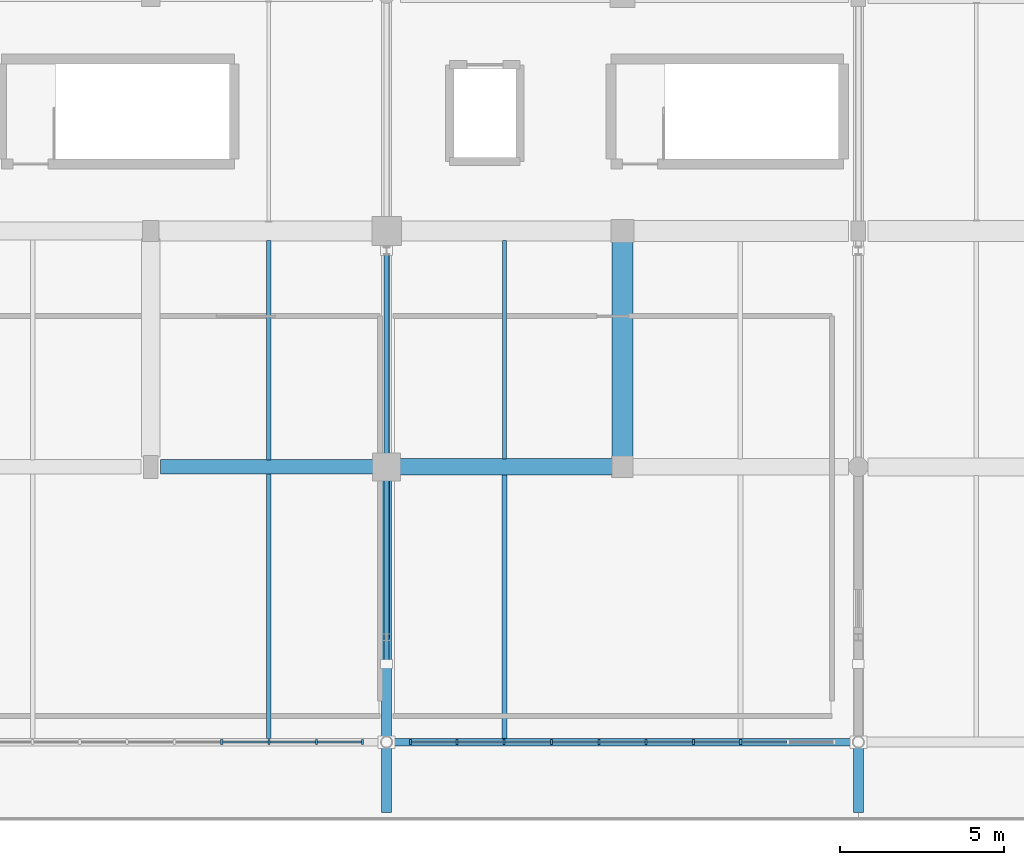
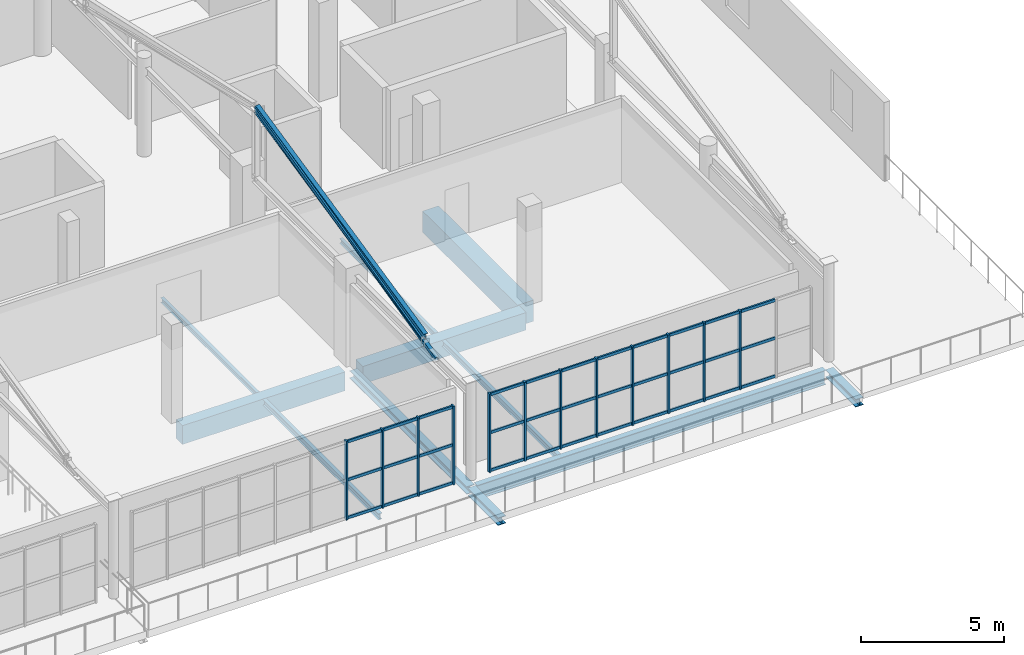
# One storey, part 11 of 41: 46 members, 12 beams, 2 elements without a shape of their own.
"""IFC4 building model written with IfcOpenShell, lengths in metres."""

import ifcopenshell
import ifcopenshell.guid

model = None  # the IFC model being written
_history = None  # IfcOwnerHistory: only IFC2X3 demands one
_inside = {}  # id of a spatial element -> (the spatial element, [elements in it])
_under = {}  # id of a project, library or spatial element -> (it, [spatial elements below it])
_declared = {}  # id of a project -> (the project, [libraries it declares])
_typed = {}  # id of a type object -> (the type object, [elements of that type])
_made_of = {}  # id of a material, layer set ... -> (it, [elements and type objects made of it])


def new_model(schema):
    """Start an empty IFC model of exactly this schema.

    Asked for "IFC4X3", IfcOpenShell would pick the latest addendum, in which some entities
    have other attributes; the version numbers below select the first issue.
    IFC2X3 requires an IfcOwnerHistory on every rooted entity: one is made here for all.
    """
    global model, _history
    if schema == "IFC4X3":
        model = ifcopenshell.file(schema_version=(4, 3, 0, 0))
    else:
        model = ifcopenshell.file(schema=schema)
    _inside.clear()
    _under.clear()
    _declared.clear()
    _typed.clear()
    _made_of.clear()
    _history = None
    if model.schema == "IFC2X3":
        org = make("IfcOrganization", Name="unknown")
        user = make(
            "IfcPersonAndOrganization",
            ThePerson=make("IfcPerson", FamilyName="unknown"),
            TheOrganization=org,
        )
        app = make(
            "IfcApplication",
            ApplicationDeveloper=org,
            Version="unknown",
            ApplicationFullName="unknown",
            ApplicationIdentifier="unknown",
        )
        _history = make(
            "IfcOwnerHistory",
            OwningUser=user,
            OwningApplication=app,
            ChangeAction="ADDED",
            CreationDate=0,
        )
    return model


def make(cls, **values):
    """One entity of the class cls with the attributes given. An attribute that is None is left unset."""
    return model.create_entity(
        cls, **{name: value for name, value in values.items() if value is not None}
    )


def rooted(cls, **values):
    """An entity with a GlobalId (a new one), such as an element, a storey or a relation."""
    return make(cls, GlobalId=ifcopenshell.guid.new(), OwnerHistory=_history, **values)


def si_unit(unit_type, name, prefix=None):
    """IfcSIUnit, for example si_unit("LENGTHUNIT", "METRE", prefix="MILLI")."""
    return make("IfcSIUnit", UnitType=unit_type, Prefix=prefix, Name=name)


def assignment(units):
    """IfcUnitAssignment: the units of a project."""
    return None if units is None else make("IfcUnitAssignment", Units=units)


def point(xyz):
    """IfcCartesianPoint."""
    return None if xyz is None else make("IfcCartesianPoint", Coordinates=xyz)


def direction(xyz):
    """IfcDirection."""
    return None if xyz is None else make("IfcDirection", DirectionRatios=xyz)


def frame(location, z_axis=None, x_axis=None):
    """IfcAxis2Placement3D, a coordinate frame: its origin and axes. An axis left out is left unset."""
    return make(
        "IfcAxis2Placement3D",
        Location=point(location),
        Axis=direction(z_axis),
        RefDirection=direction(x_axis),
    )


def frame_2d(location, x_axis=None):
    """IfcAxis2Placement2D, a coordinate frame in the plane: its origin and x axis."""
    return make(
        "IfcAxis2Placement2D", Location=point(location), RefDirection=direction(x_axis)
    )


def origin():
    """The frame at (0, 0, 0) with its axes left unset."""
    return frame((0.0, 0.0, 0.0))


def origin_2d():
    """The frame at (0, 0) in the plane with its x axis left unset."""
    return frame_2d((0.0, 0.0))


def place(relative_to, where):
    """IfcLocalPlacement: puts the frame where relative to a parent placement (None: the world)."""
    return make(
        "IfcLocalPlacement", PlacementRelTo=relative_to, RelativePlacement=where
    )


def context(
    kind, dimensions, precision=None, world=None, true_north=None, identifier=None
):
    """IfcGeometricRepresentationContext, for example the 3D "Model" context."""
    return make(
        "IfcGeometricRepresentationContext",
        ContextIdentifier=identifier,
        ContextType=kind,
        CoordinateSpaceDimension=dimensions,
        Precision=precision,
        WorldCoordinateSystem=world,
        TrueNorth=true_north,
    )


def subcontext(parent, identifier, kind, view, scale=None):
    """IfcGeometricRepresentationSubContext, for example "Body" below "Model"."""
    return make(
        "IfcGeometricRepresentationSubContext",
        ContextIdentifier=identifier,
        ContextType=kind,
        ParentContext=parent,
        TargetScale=scale,
        TargetView=view,
    )


def project(units=None, contexts=None):
    """IfcProject with its units and contexts."""
    return rooted(
        "IfcProject",
        Name="project",
        RepresentationContexts=contexts,
        UnitsInContext=assignment(units),
    )


def spatial(cls, under=None, at=None, **own):
    """A site, building, storey or space (cls), placed at a placement, below another one or the project."""
    s = rooted(cls, ObjectPlacement=at, **own)
    if under is not None:
        _under.setdefault(under.id(), (under, []))[1].append(s)
    return s


def profile(cls, at=None, kind="AREA", **sizes):
    """A parametric profile (cls). Its sizes go by their IFC names, for example OverallWidth=200.0."""
    return make(cls, ProfileType=kind, Position=at, **sizes)


def rectangle(**sizes):
    """IfcRectangleProfileDef."""
    return profile("IfcRectangleProfileDef", **sizes)


def hollow_rectangle(**sizes):
    """IfcRectangleHollowProfileDef."""
    return profile("IfcRectangleHollowProfileDef", **sizes)


def i_section(**sizes):
    """IfcIShapeProfileDef."""
    return profile("IfcIShapeProfileDef", **sizes)


def extrude(swept, where, along, depth):
    """IfcExtrudedAreaSolid: the profile swept, set in the frame where, extruded along a direction by depth."""
    return make(
        "IfcExtrudedAreaSolid",
        SweptArea=swept,
        Position=where,
        ExtrudedDirection=direction(along),
        Depth=depth,
    )


def shape(context_of_items, identifier, shape_type, items):
    """IfcShapeRepresentation: the items that make up one representation, for example the "Body"."""
    return make(
        "IfcShapeRepresentation",
        ContextOfItems=context_of_items,
        RepresentationIdentifier=identifier,
        RepresentationType=shape_type,
        Items=items,
    )


def material(Name=None, Category=None):
    """IfcMaterial."""
    return make("IfcMaterial", Name=Name, Category=Category)


def material_profile(
    of_material, cross_section, Name=None, Category=None, Priority=None
):
    """IfcMaterialProfile: a cross section and its material."""
    return make(
        "IfcMaterialProfile",
        Name=Name,
        Material=of_material,
        Profile=cross_section,
        Priority=Priority,
        Category=Category,
    )


def profile_set(profiles, Name=None, composite=None):
    """IfcMaterialProfileSet."""
    return make(
        "IfcMaterialProfileSet",
        Name=Name,
        MaterialProfiles=profiles,
        CompositeProfile=composite,
    )


def made_of(thing, what):
    """Note that an element or type object is made of a material, layer set ...; save() writes the relation."""
    if what is not None:
        _made_of.setdefault(what.id(), (what, []))[1].append(thing)
    return thing


def type_object(cls, material=None, **own):
    """A type object (cls), such as IfcWallType, which elements share."""
    return made_of(rooted(cls, **own), material)


def element(
    cls,
    number,
    at=None,
    inside=None,
    cuts=None,
    type_object=None,
    material=None,
    context=None,
    identifier="Body",
    shape_type=None,
    held_by="IfcProductDefinitionShape",
    body=None,
    shapes=None,
    **own,
):
    """One element of the class cls, such as IfcWall. Its Tag is "e" and its number.

    at: its placement. inside: the storey or other place that contains it. cuts: it is an
    opening in that element (IfcRelVoidsElement). A single representation is given by context,
    identifier, shape_type and body (its items); several are given by shapes. held_by: the class
    of the entity that holds the representations. save() writes the other relations.
    """
    e = rooted(cls, Tag="e%d" % number, ObjectPlacement=at, **own)
    if body is not None:
        shapes = [shape(context, identifier, shape_type, body)]
    if shapes is not None:
        e.Representation = make(held_by, Representations=shapes)
    if inside is not None:
        _inside.setdefault(inside.id(), (inside, []))[1].append(e)
    if cuts is not None:
        rooted(
            "IfcRelVoidsElement", RelatingBuildingElement=cuts, RelatedOpeningElement=e
        )
    if type_object is not None:
        _typed.setdefault(type_object.id(), (type_object, []))[1].append(e)
    return made_of(e, material)


def aggregate(whole, parts):
    """IfcRelAggregates: a whole, such as a stair, and the parts it consists of."""
    return rooted("IfcRelAggregates", RelatingObject=whole, RelatedObjects=parts)


def save(model, path):
    """Write the relations noted so far, then the file.

    IfcRelAggregates (storeys below a building ...), IfcRelContainedInSpatialStructure (elements
    in a storey), IfcRelDefinesByType, IfcRelAssociatesMaterial and IfcRelDeclares: one each for
    every whole, place, type object, material and project.
    """
    for whole, parts in _under.values():
        aggregate(whole, parts)
    for where, things in _inside.values():
        rooted(
            "IfcRelContainedInSpatialStructure",
            RelatedElements=things,
            RelatingStructure=where,
        )
    for kind, things in _typed.values():
        rooted("IfcRelDefinesByType", RelatedObjects=things, RelatingType=kind)
    for what, things in _made_of.values():
        rooted("IfcRelAssociatesMaterial", RelatedObjects=things, RelatingMaterial=what)
    for by, libraries in _declared.values():
        rooted("IfcRelDeclares", RelatingContext=by, RelatedDefinitions=libraries)
    model.write(path)


model = new_model("IFC4")

# Units and contexts
model_context = context("Model", 3, precision=1e-05, world=origin(), true_north=direction((0.0, 1.0)))
body_context = subcontext(model_context, "Body", "Model", "MODEL_VIEW")
ifc_project = project(units=[si_unit("LENGTHUNIT", "METRE"), si_unit("AREAUNIT", "SQUARE_METRE"), si_unit("VOLUMEUNIT", "CUBIC_METRE"), si_unit("PLANEANGLEUNIT", "RADIAN"), si_unit("MASSUNIT", "GRAM", prefix="KILO")], contexts=[model_context])

# Site, building, storey
site_placement = place(None, origin())
site = spatial("IfcSite", under=ifc_project, at=site_placement, CompositionType="ELEMENT")
building_placement = place(site_placement, origin())
building = spatial("IfcBuilding", under=site, at=building_placement, Name="Solanera Park Tramway Depot", CompositionType="ELEMENT")
storey_placement = place(building_placement, frame((0.0, 0.0, 13.199951171875)))
storey = spatial("IfcBuildingStorey", under=building, at=storey_placement, Name="L03", CompositionType="ELEMENT", Elevation=13.199951171875)

# Curtain wall, members
ifc_material_1 = material(Name="Bronze-anodised thermally broken aluminium curtain wall", Category="aluminium")
curtain_wall_type = type_object("IfcCurtainWallType", Name="Cantilevered OCC Inclined Glazing Wall", PredefinedType="NOTDEFINED", material=ifc_material_1)
curtain_wall_1_placement = place(storey_placement, origin())
curtain_wall_1 = element("IfcCurtainWall", 1, at=curtain_wall_1_placement, inside=storey, type_object=curtain_wall_type, Name="L03 Cantilevered OCC Inclined Glazing Wall #124", PredefinedType="NOTDEFINED")
ifc_material_2 = material(Name="Bronze-anodised structural aluminium 6063-T6", Category="aluminium")
ifc_material_profile_1 = material_profile(ifc_material_2, rectangle(XDim=0.06494140625, YDim=0.14990234375, at=origin_2d()), Name="Curtain Wall Mullion 65x150")
ifc_profile_set_1 = profile_set([ifc_material_profile_1], Name="Bronze-anodised structural aluminium 6063-T6")
member_type_1 = type_object("IfcMemberType", Name="Curtain Wall Mullion 65x150", PredefinedType="MULLION", material=ifc_profile_set_1)
member_1_placement = place(storey_placement, frame((160.566650390625, 2.39990234375, 0.0), z_axis=(0.0, 0.0, 1.0), x_axis=(1.0, 0.0, 0.0)))
member_1 = element("IfcMember", 2, at=member_1_placement, type_object=member_type_1, Name="CW-L03-124 Mullion 7", PredefinedType="MULLION", context=body_context, shape_type="SweptSolid", body=[
    extrude(rectangle(XDim=0.06494140625, YDim=0.14990234375, at=origin_2d()), origin(), (0.0, 0.0, 1.0), 3.35009765625),
])
member_2_placement = place(storey_placement, frame((162.010986328125, 2.39990234375, 0.0), z_axis=(0.0, 0.0, 1.0), x_axis=(1.0, 0.0, 0.0)))
member_2 = element("IfcMember", 3, at=member_2_placement, type_object=member_type_1, Name="CW-L03-124 Mullion 8", PredefinedType="MULLION", context=body_context, shape_type="SweptSolid", body=[
    extrude(rectangle(XDim=0.06494140625, YDim=0.14990234375, at=origin_2d()), origin(), (0.0, 0.0, 1.0), 3.35009765625),
])
member_3_placement = place(storey_placement, frame((163.45556640625, 2.39990234375, 0.0), z_axis=(0.0, 0.0, 1.0), x_axis=(1.0, 0.0, 0.0)))
member_3 = element("IfcMember", 4, at=member_3_placement, type_object=member_type_1, Name="CW-L03-124 Mullion 9", PredefinedType="MULLION", context=body_context, shape_type="SweptSolid", body=[
    extrude(rectangle(XDim=0.06494140625, YDim=0.14990234375, at=origin_2d()), origin(), (0.0, 0.0, 1.0), 3.35009765625),
])
member_4_placement = place(storey_placement, frame((164.867431640625, 2.39990234375, 0.0), z_axis=(0.0, 0.0, 1.0), x_axis=(1.0, 0.0, 0.0)))
member_4 = element("IfcMember", 5, at=member_4_placement, type_object=member_type_1, Name="CW-L03-124 Mullion 10", PredefinedType="MULLION", context=body_context, shape_type="SweptSolid", body=[
    extrude(rectangle(XDim=0.06494140625, YDim=0.14990234375, at=origin_2d()), origin(), (0.0, 0.0, 1.0), 3.35009765625),
])

curtain_wall_2_placement = place(storey_placement, origin())
curtain_wall_2 = element("IfcCurtainWall", 6, at=curtain_wall_2_placement, inside=storey, type_object=curtain_wall_type, Name="L03 Cantilevered OCC Inclined Glazing Wall #125", PredefinedType="NOTDEFINED")
member_5_placement = place(storey_placement, frame((166.33251953125, 2.39990234375, 0.0), z_axis=(0.0, 0.0, 1.0), x_axis=(1.0, 0.0, 0.0)))
member_5 = element("IfcMember", 7, at=member_5_placement, type_object=member_type_1, Name="CW-L03-125 Mullion 1", PredefinedType="MULLION", context=body_context, shape_type="SweptSolid", body=[
    extrude(rectangle(XDim=0.06494140625, YDim=0.14990234375, at=origin_2d()), origin(), (0.0, 0.0, 1.0), 3.35009765625),
])
member_6_placement = place(storey_placement, frame((167.744384765625, 2.39990234375, 0.0), z_axis=(0.0, 0.0, 1.0), x_axis=(1.0, 0.0, 0.0)))
member_6 = element("IfcMember", 8, at=member_6_placement, type_object=member_type_1, Name="CW-L03-125 Mullion 2", PredefinedType="MULLION", context=body_context, shape_type="SweptSolid", body=[
    extrude(rectangle(XDim=0.06494140625, YDim=0.14990234375, at=origin_2d()), origin(), (0.0, 0.0, 1.0), 3.35009765625),
])
member_7_placement = place(storey_placement, frame((169.18896484375, 2.39990234375, 0.0), z_axis=(0.0, 0.0, 1.0), x_axis=(1.0, 0.0, 0.0)))
member_7 = element("IfcMember", 9, at=member_7_placement, type_object=member_type_1, Name="CW-L03-125 Mullion 3", PredefinedType="MULLION", context=body_context, shape_type="SweptSolid", body=[
    extrude(rectangle(XDim=0.06494140625, YDim=0.14990234375, at=origin_2d()), origin(), (0.0, 0.0, 1.0), 3.35009765625),
])
member_8_placement = place(storey_placement, frame((170.63330078125, 2.39990234375, 0.0), z_axis=(0.0, 0.0, 1.0), x_axis=(1.0, 0.0, 0.0)))
member_8 = element("IfcMember", 10, at=member_8_placement, type_object=member_type_1, Name="CW-L03-125 Mullion 4", PredefinedType="MULLION", context=body_context, shape_type="SweptSolid", body=[
    extrude(rectangle(XDim=0.06494140625, YDim=0.14990234375, at=origin_2d()), origin(), (0.0, 0.0, 1.0), 3.35009765625),
])
member_9_placement = place(storey_placement, frame((172.077880859375, 2.39990234375, 0.0), z_axis=(0.0, 0.0, 1.0), x_axis=(1.0, 0.0, 0.0)))
member_9 = element("IfcMember", 11, at=member_9_placement, type_object=member_type_1, Name="CW-L03-125 Mullion 5", PredefinedType="MULLION", context=body_context, shape_type="SweptSolid", body=[
    extrude(rectangle(XDim=0.06494140625, YDim=0.14990234375, at=origin_2d()), origin(), (0.0, 0.0, 1.0), 3.35009765625),
])
member_10_placement = place(storey_placement, frame((173.522216796875, 2.39990234375, 0.0), z_axis=(0.0, 0.0, 1.0), x_axis=(1.0, 0.0, 0.0)))
member_10 = element("IfcMember", 12, at=member_10_placement, type_object=member_type_1, Name="CW-L03-125 Mullion 6", PredefinedType="MULLION", context=body_context, shape_type="SweptSolid", body=[
    extrude(rectangle(XDim=0.06494140625, YDim=0.14990234375, at=origin_2d()), origin(), (0.0, 0.0, 1.0), 3.35009765625),
])
member_11_placement = place(storey_placement, frame((174.966796875, 2.39990234375, 0.0), z_axis=(0.0, 0.0, 1.0), x_axis=(1.0, 0.0, 0.0)))
member_11 = element("IfcMember", 13, at=member_11_placement, type_object=member_type_1, Name="CW-L03-125 Mullion 7", PredefinedType="MULLION", context=body_context, shape_type="SweptSolid", body=[
    extrude(rectangle(XDim=0.06494140625, YDim=0.14990234375, at=origin_2d()), origin(), (0.0, 0.0, 1.0), 3.35009765625),
])
member_12_placement = place(storey_placement, frame((176.4111328125, 2.39990234375, 0.0), z_axis=(0.0, 0.0, 1.0), x_axis=(1.0, 0.0, 0.0)))
member_12 = element("IfcMember", 14, at=member_12_placement, type_object=member_type_1, Name="CW-L03-125 Mullion 8", PredefinedType="MULLION", context=body_context, shape_type="SweptSolid", body=[
    extrude(rectangle(XDim=0.06494140625, YDim=0.14990234375, at=origin_2d()), origin(), (0.0, 0.0, 1.0), 3.35009765625),
])

# Member
ifc_material_3 = material(Name="Bronze-anodised structural aluminium 6063-T6", Category="aluminium")
ifc_material_profile_2 = material_profile(ifc_material_3, rectangle(XDim=0.06494140625, YDim=0.1201171875, at=origin_2d()), Name="Curtain Wall Transom 65x120")
ifc_profile_set_2 = profile_set([ifc_material_profile_2], Name="Bronze-anodised structural aluminium 6063-T6")
member_type_2 = type_object("IfcMemberType", Name="Curtain Wall Transom 65x120", PredefinedType="USERDEFINED", material=ifc_profile_set_2)
member_13_placement = place(storey_placement, frame((160.5947265625, 2.39990234375, 0.06005859375), z_axis=(1.0, 0.0, 0.0), x_axis=(0.0, 1.0, 0.0)))
member_13 = element("IfcMember", 15, at=member_13_placement, type_object=member_type_2, Name="CW-L03-124 Transom R1.C7", ObjectType="TRANSOM", PredefinedType="USERDEFINED", context=body_context, shape_type="SweptSolid", body=[
    extrude(rectangle(XDim=0.06494140625, YDim=0.1201171875, at=origin_2d()), origin(), (0.0, 0.0, 1.0), 1.388427734375),
])

member_14_placement = place(storey_placement, frame((162.0390625, 2.39990234375, 0.06005859375), z_axis=(1.0, 0.0, 0.0), x_axis=(0.0, 1.0, 0.0)))
member_14 = element("IfcMember", 16, at=member_14_placement, type_object=member_type_2, Name="CW-L03-124 Transom R1.C8", ObjectType="TRANSOM", PredefinedType="USERDEFINED", context=body_context, shape_type="SweptSolid", body=[
    extrude(rectangle(XDim=0.06494140625, YDim=0.1201171875, at=origin_2d()), origin(), (0.0, 0.0, 1.0), 1.388427734375),
])

member_15_placement = place(storey_placement, frame((163.483642578125, 2.39990234375, 0.06005859375), z_axis=(1.0, 0.0, 0.0), x_axis=(0.0, 1.0, 0.0)))
member_15 = element("IfcMember", 17, at=member_15_placement, type_object=member_type_2, Name="CW-L03-124 Transom R1.C9", ObjectType="TRANSOM", PredefinedType="USERDEFINED", context=body_context, shape_type="SweptSolid", body=[
    extrude(rectangle(XDim=0.06494140625, YDim=0.1201171875, at=origin_2d()), origin(), (0.0, 0.0, 1.0), 1.35595703125),
])

member_16_placement = place(storey_placement, frame((160.5947265625, 2.39990234375, 1.675048828125), z_axis=(1.0, 0.0, 0.0), x_axis=(0.0, 1.0, 0.0)))
member_16 = element("IfcMember", 18, at=member_16_placement, type_object=member_type_2, Name="CW-L03-124 Transom R2.C7", ObjectType="TRANSOM", PredefinedType="USERDEFINED", context=body_context, shape_type="SweptSolid", body=[
    extrude(rectangle(XDim=0.06494140625, YDim=0.1201171875, at=origin_2d()), origin(), (0.0, 0.0, 1.0), 1.388427734375),
])

member_17_placement = place(storey_placement, frame((162.0390625, 2.39990234375, 1.675048828125), z_axis=(1.0, 0.0, 0.0), x_axis=(0.0, 1.0, 0.0)))
member_17 = element("IfcMember", 19, at=member_17_placement, type_object=member_type_2, Name="CW-L03-124 Transom R2.C8", ObjectType="TRANSOM", PredefinedType="USERDEFINED", context=body_context, shape_type="SweptSolid", body=[
    extrude(rectangle(XDim=0.06494140625, YDim=0.1201171875, at=origin_2d()), origin(), (0.0, 0.0, 1.0), 1.388427734375),
])

member_18_placement = place(storey_placement, frame((163.483642578125, 2.39990234375, 1.675048828125), z_axis=(1.0, 0.0, 0.0), x_axis=(0.0, 1.0, 0.0)))
member_18 = element("IfcMember", 20, at=member_18_placement, type_object=member_type_2, Name="CW-L03-124 Transom R2.C9", ObjectType="TRANSOM", PredefinedType="USERDEFINED", context=body_context, shape_type="SweptSolid", body=[
    extrude(rectangle(XDim=0.06494140625, YDim=0.1201171875, at=origin_2d()), origin(), (0.0, 0.0, 1.0), 1.35595703125),
])

member_19_placement = place(storey_placement, frame((160.5947265625, 2.39990234375, 3.2900390625), z_axis=(1.0, 0.0, 0.0), x_axis=(0.0, 1.0, 0.0)))
member_19 = element("IfcMember", 21, at=member_19_placement, type_object=member_type_2, Name="CW-L03-124 Transom R3.C7", ObjectType="TRANSOM", PredefinedType="USERDEFINED", context=body_context, shape_type="SweptSolid", body=[
    extrude(rectangle(XDim=0.06494140625, YDim=0.1201171875, at=origin_2d()), origin(), (0.0, 0.0, 1.0), 1.388427734375),
])

member_20_placement = place(storey_placement, frame((162.0390625, 2.39990234375, 3.2900390625), z_axis=(1.0, 0.0, 0.0), x_axis=(0.0, 1.0, 0.0)))
member_20 = element("IfcMember", 22, at=member_20_placement, type_object=member_type_2, Name="CW-L03-124 Transom R3.C8", ObjectType="TRANSOM", PredefinedType="USERDEFINED", context=body_context, shape_type="SweptSolid", body=[
    extrude(rectangle(XDim=0.06494140625, YDim=0.1201171875, at=origin_2d()), origin(), (0.0, 0.0, 1.0), 1.388427734375),
])

member_21_placement = place(storey_placement, frame((163.483642578125, 2.39990234375, 3.2900390625), z_axis=(1.0, 0.0, 0.0), x_axis=(0.0, 1.0, 0.0)))
member_21 = element("IfcMember", 23, at=member_21_placement, type_object=member_type_2, Name="CW-L03-124 Transom R3.C9", ObjectType="TRANSOM", PredefinedType="USERDEFINED", context=body_context, shape_type="SweptSolid", body=[
    extrude(rectangle(XDim=0.06494140625, YDim=0.1201171875, at=origin_2d()), origin(), (0.0, 0.0, 1.0), 1.35595703125),
])

aggregate(curtain_wall_1, [member_1, member_2, member_3, member_4, member_13, member_14, member_15, member_16, member_17, member_18, member_19, member_20, member_21])

member_22_placement = place(storey_placement, frame((166.360595703125, 2.39990234375, 0.06005859375), z_axis=(1.0, 0.0, 0.0), x_axis=(0.0, 1.0, 0.0)))
member_22 = element("IfcMember", 24, at=member_22_placement, type_object=member_type_2, Name="CW-L03-125 Transom R1.C1", ObjectType="TRANSOM", PredefinedType="USERDEFINED", context=body_context, shape_type="SweptSolid", body=[
    extrude(rectangle(XDim=0.06494140625, YDim=0.1201171875, at=origin_2d()), origin(), (0.0, 0.0, 1.0), 1.355712890625),
])

member_23_placement = place(storey_placement, frame((167.7724609375, 2.39990234375, 0.06005859375), z_axis=(1.0, 0.0, 0.0), x_axis=(0.0, 1.0, 0.0)))
member_23 = element("IfcMember", 25, at=member_23_placement, type_object=member_type_2, Name="CW-L03-125 Transom R1.C2", ObjectType="TRANSOM", PredefinedType="USERDEFINED", context=body_context, shape_type="SweptSolid", body=[
    extrude(rectangle(XDim=0.06494140625, YDim=0.1201171875, at=origin_2d()), origin(), (0.0, 0.0, 1.0), 1.388427734375),
])

member_24_placement = place(storey_placement, frame((169.216796875, 2.39990234375, 0.06005859375), z_axis=(1.0, 0.0, 0.0), x_axis=(0.0, 1.0, 0.0)))
member_24 = element("IfcMember", 26, at=member_24_placement, type_object=member_type_2, Name="CW-L03-125 Transom R1.C3", ObjectType="TRANSOM", PredefinedType="USERDEFINED", context=body_context, shape_type="SweptSolid", body=[
    extrude(rectangle(XDim=0.06494140625, YDim=0.1201171875, at=origin_2d()), origin(), (0.0, 0.0, 1.0), 1.388427734375),
])

member_25_placement = place(storey_placement, frame((170.661376953125, 2.39990234375, 0.06005859375), z_axis=(1.0, 0.0, 0.0), x_axis=(0.0, 1.0, 0.0)))
member_25 = element("IfcMember", 27, at=member_25_placement, type_object=member_type_2, Name="CW-L03-125 Transom R1.C4", ObjectType="TRANSOM", PredefinedType="USERDEFINED", context=body_context, shape_type="SweptSolid", body=[
    extrude(rectangle(XDim=0.06494140625, YDim=0.1201171875, at=origin_2d()), origin(), (0.0, 0.0, 1.0), 1.388427734375),
])

member_26_placement = place(storey_placement, frame((172.105712890625, 2.39990234375, 0.06005859375), z_axis=(1.0, 0.0, 0.0), x_axis=(0.0, 1.0, 0.0)))
member_26 = element("IfcMember", 28, at=member_26_placement, type_object=member_type_2, Name="CW-L03-125 Transom R1.C5", ObjectType="TRANSOM", PredefinedType="USERDEFINED", context=body_context, shape_type="SweptSolid", body=[
    extrude(rectangle(XDim=0.06494140625, YDim=0.1201171875, at=origin_2d()), origin(), (0.0, 0.0, 1.0), 1.388427734375),
])

member_27_placement = place(storey_placement, frame((173.55029296875, 2.39990234375, 0.06005859375), z_axis=(1.0, 0.0, 0.0), x_axis=(0.0, 1.0, 0.0)))
member_27 = element("IfcMember", 29, at=member_27_placement, type_object=member_type_2, Name="CW-L03-125 Transom R1.C6", ObjectType="TRANSOM", PredefinedType="USERDEFINED", context=body_context, shape_type="SweptSolid", body=[
    extrude(rectangle(XDim=0.06494140625, YDim=0.1201171875, at=origin_2d()), origin(), (0.0, 0.0, 1.0), 1.388427734375),
])

member_28_placement = place(storey_placement, frame((174.99462890625, 2.39990234375, 0.06005859375), z_axis=(1.0, 0.0, 0.0), x_axis=(0.0, 1.0, 0.0)))
member_28 = element("IfcMember", 30, at=member_28_placement, type_object=member_type_2, Name="CW-L03-125 Transom R1.C7", ObjectType="TRANSOM", PredefinedType="USERDEFINED", context=body_context, shape_type="SweptSolid", body=[
    extrude(rectangle(XDim=0.06494140625, YDim=0.1201171875, at=origin_2d()), origin(), (0.0, 0.0, 1.0), 1.388427734375),
])

member_29_placement = place(storey_placement, frame((176.439208984375, 2.39990234375, 0.06005859375), z_axis=(1.0, 0.0, 0.0), x_axis=(0.0, 1.0, 0.0)))
member_29 = element("IfcMember", 31, at=member_29_placement, type_object=member_type_2, Name="CW-L03-125 Transom R1.C8", ObjectType="TRANSOM", PredefinedType="USERDEFINED", context=body_context, shape_type="SweptSolid", body=[
    extrude(rectangle(XDim=0.06494140625, YDim=0.1201171875, at=origin_2d()), origin(), (0.0, 0.0, 1.0), 1.388427734375),
])

member_30_placement = place(storey_placement, frame((166.360595703125, 2.39990234375, 1.675048828125), z_axis=(1.0, 0.0, 0.0), x_axis=(0.0, 1.0, 0.0)))
member_30 = element("IfcMember", 32, at=member_30_placement, type_object=member_type_2, Name="CW-L03-125 Transom R2.C1", ObjectType="TRANSOM", PredefinedType="USERDEFINED", context=body_context, shape_type="SweptSolid", body=[
    extrude(rectangle(XDim=0.06494140625, YDim=0.1201171875, at=origin_2d()), origin(), (0.0, 0.0, 1.0), 1.355712890625),
])

member_31_placement = place(storey_placement, frame((167.7724609375, 2.39990234375, 1.675048828125), z_axis=(1.0, 0.0, 0.0), x_axis=(0.0, 1.0, 0.0)))
member_31 = element("IfcMember", 33, at=member_31_placement, type_object=member_type_2, Name="CW-L03-125 Transom R2.C2", ObjectType="TRANSOM", PredefinedType="USERDEFINED", context=body_context, shape_type="SweptSolid", body=[
    extrude(rectangle(XDim=0.06494140625, YDim=0.1201171875, at=origin_2d()), origin(), (0.0, 0.0, 1.0), 1.388427734375),
])

member_32_placement = place(storey_placement, frame((169.216796875, 2.39990234375, 1.675048828125), z_axis=(1.0, 0.0, 0.0), x_axis=(0.0, 1.0, 0.0)))
member_32 = element("IfcMember", 34, at=member_32_placement, type_object=member_type_2, Name="CW-L03-125 Transom R2.C3", ObjectType="TRANSOM", PredefinedType="USERDEFINED", context=body_context, shape_type="SweptSolid", body=[
    extrude(rectangle(XDim=0.06494140625, YDim=0.1201171875, at=origin_2d()), origin(), (0.0, 0.0, 1.0), 1.388427734375),
])

member_33_placement = place(storey_placement, frame((170.661376953125, 2.39990234375, 1.675048828125), z_axis=(1.0, 0.0, 0.0), x_axis=(0.0, 1.0, 0.0)))
member_33 = element("IfcMember", 35, at=member_33_placement, type_object=member_type_2, Name="CW-L03-125 Transom R2.C4", ObjectType="TRANSOM", PredefinedType="USERDEFINED", context=body_context, shape_type="SweptSolid", body=[
    extrude(rectangle(XDim=0.06494140625, YDim=0.1201171875, at=origin_2d()), origin(), (0.0, 0.0, 1.0), 1.388427734375),
])

member_34_placement = place(storey_placement, frame((172.105712890625, 2.39990234375, 1.675048828125), z_axis=(1.0, 0.0, 0.0), x_axis=(0.0, 1.0, 0.0)))
member_34 = element("IfcMember", 36, at=member_34_placement, type_object=member_type_2, Name="CW-L03-125 Transom R2.C5", ObjectType="TRANSOM", PredefinedType="USERDEFINED", context=body_context, shape_type="SweptSolid", body=[
    extrude(rectangle(XDim=0.06494140625, YDim=0.1201171875, at=origin_2d()), origin(), (0.0, 0.0, 1.0), 1.388427734375),
])

member_35_placement = place(storey_placement, frame((173.55029296875, 2.39990234375, 1.675048828125), z_axis=(1.0, 0.0, 0.0), x_axis=(0.0, 1.0, 0.0)))
member_35 = element("IfcMember", 37, at=member_35_placement, type_object=member_type_2, Name="CW-L03-125 Transom R2.C6", ObjectType="TRANSOM", PredefinedType="USERDEFINED", context=body_context, shape_type="SweptSolid", body=[
    extrude(rectangle(XDim=0.06494140625, YDim=0.1201171875, at=origin_2d()), origin(), (0.0, 0.0, 1.0), 1.388427734375),
])

member_36_placement = place(storey_placement, frame((174.99462890625, 2.39990234375, 1.675048828125), z_axis=(1.0, 0.0, 0.0), x_axis=(0.0, 1.0, 0.0)))
member_36 = element("IfcMember", 38, at=member_36_placement, type_object=member_type_2, Name="CW-L03-125 Transom R2.C7", ObjectType="TRANSOM", PredefinedType="USERDEFINED", context=body_context, shape_type="SweptSolid", body=[
    extrude(rectangle(XDim=0.06494140625, YDim=0.1201171875, at=origin_2d()), origin(), (0.0, 0.0, 1.0), 1.388427734375),
])

member_37_placement = place(storey_placement, frame((176.439208984375, 2.39990234375, 1.675048828125), z_axis=(1.0, 0.0, 0.0), x_axis=(0.0, 1.0, 0.0)))
member_37 = element("IfcMember", 39, at=member_37_placement, type_object=member_type_2, Name="CW-L03-125 Transom R2.C8", ObjectType="TRANSOM", PredefinedType="USERDEFINED", context=body_context, shape_type="SweptSolid", body=[
    extrude(rectangle(XDim=0.06494140625, YDim=0.1201171875, at=origin_2d()), origin(), (0.0, 0.0, 1.0), 1.388427734375),
])

member_38_placement = place(storey_placement, frame((166.360595703125, 2.39990234375, 3.2900390625), z_axis=(1.0, 0.0, 0.0), x_axis=(0.0, 1.0, 0.0)))
member_38 = element("IfcMember", 40, at=member_38_placement, type_object=member_type_2, Name="CW-L03-125 Transom R3.C1", ObjectType="TRANSOM", PredefinedType="USERDEFINED", context=body_context, shape_type="SweptSolid", body=[
    extrude(rectangle(XDim=0.06494140625, YDim=0.1201171875, at=origin_2d()), origin(), (0.0, 0.0, 1.0), 1.355712890625),
])

member_39_placement = place(storey_placement, frame((167.7724609375, 2.39990234375, 3.2900390625), z_axis=(1.0, 0.0, 0.0), x_axis=(0.0, 1.0, 0.0)))
member_39 = element("IfcMember", 41, at=member_39_placement, type_object=member_type_2, Name="CW-L03-125 Transom R3.C2", ObjectType="TRANSOM", PredefinedType="USERDEFINED", context=body_context, shape_type="SweptSolid", body=[
    extrude(rectangle(XDim=0.06494140625, YDim=0.1201171875, at=origin_2d()), origin(), (0.0, 0.0, 1.0), 1.388427734375),
])

member_40_placement = place(storey_placement, frame((169.216796875, 2.39990234375, 3.2900390625), z_axis=(1.0, 0.0, 0.0), x_axis=(0.0, 1.0, 0.0)))
member_40 = element("IfcMember", 42, at=member_40_placement, type_object=member_type_2, Name="CW-L03-125 Transom R3.C3", ObjectType="TRANSOM", PredefinedType="USERDEFINED", context=body_context, shape_type="SweptSolid", body=[
    extrude(rectangle(XDim=0.06494140625, YDim=0.1201171875, at=origin_2d()), origin(), (0.0, 0.0, 1.0), 1.388427734375),
])

member_41_placement = place(storey_placement, frame((170.661376953125, 2.39990234375, 3.2900390625), z_axis=(1.0, 0.0, 0.0), x_axis=(0.0, 1.0, 0.0)))
member_41 = element("IfcMember", 43, at=member_41_placement, type_object=member_type_2, Name="CW-L03-125 Transom R3.C4", ObjectType="TRANSOM", PredefinedType="USERDEFINED", context=body_context, shape_type="SweptSolid", body=[
    extrude(rectangle(XDim=0.06494140625, YDim=0.1201171875, at=origin_2d()), origin(), (0.0, 0.0, 1.0), 1.388427734375),
])

member_42_placement = place(storey_placement, frame((172.105712890625, 2.39990234375, 3.2900390625), z_axis=(1.0, 0.0, 0.0), x_axis=(0.0, 1.0, 0.0)))
member_42 = element("IfcMember", 44, at=member_42_placement, type_object=member_type_2, Name="CW-L03-125 Transom R3.C5", ObjectType="TRANSOM", PredefinedType="USERDEFINED", context=body_context, shape_type="SweptSolid", body=[
    extrude(rectangle(XDim=0.06494140625, YDim=0.1201171875, at=origin_2d()), origin(), (0.0, 0.0, 1.0), 1.388427734375),
])

member_43_placement = place(storey_placement, frame((173.55029296875, 2.39990234375, 3.2900390625), z_axis=(1.0, 0.0, 0.0), x_axis=(0.0, 1.0, 0.0)))
member_43 = element("IfcMember", 45, at=member_43_placement, type_object=member_type_2, Name="CW-L03-125 Transom R3.C6", ObjectType="TRANSOM", PredefinedType="USERDEFINED", context=body_context, shape_type="SweptSolid", body=[
    extrude(rectangle(XDim=0.06494140625, YDim=0.1201171875, at=origin_2d()), origin(), (0.0, 0.0, 1.0), 1.388427734375),
])

member_44_placement = place(storey_placement, frame((174.99462890625, 2.39990234375, 3.2900390625), z_axis=(1.0, 0.0, 0.0), x_axis=(0.0, 1.0, 0.0)))
member_44 = element("IfcMember", 46, at=member_44_placement, type_object=member_type_2, Name="CW-L03-125 Transom R3.C7", ObjectType="TRANSOM", PredefinedType="USERDEFINED", context=body_context, shape_type="SweptSolid", body=[
    extrude(rectangle(XDim=0.06494140625, YDim=0.1201171875, at=origin_2d()), origin(), (0.0, 0.0, 1.0), 1.388427734375),
])

member_45_placement = place(storey_placement, frame((176.439208984375, 2.39990234375, 3.2900390625), z_axis=(1.0, 0.0, 0.0), x_axis=(0.0, 1.0, 0.0)))
member_45 = element("IfcMember", 47, at=member_45_placement, type_object=member_type_2, Name="CW-L03-125 Transom R3.C8", ObjectType="TRANSOM", PredefinedType="USERDEFINED", context=body_context, shape_type="SweptSolid", body=[
    extrude(rectangle(XDim=0.06494140625, YDim=0.1201171875, at=origin_2d()), origin(), (0.0, 0.0, 1.0), 1.388427734375),
])

aggregate(curtain_wall_2, [member_5, member_6, member_7, member_8, member_9, member_10, member_11, member_12, member_22, member_23, member_24, member_25, member_26, member_27, member_28, member_29, member_30, member_31, member_32, member_33, member_34, member_35, member_36, member_37, member_38, member_39, member_40, member_41, member_42, member_43, member_44, member_45])

# Beams
ifc_material_4 = material(Name="Concrete N40 (C40/50)", Category="concrete")
ifc_material_profile_3 = material_profile(ifc_material_4, rectangle(XDim=0.449951171875, YDim=0.800048828125, at=origin_2d()), Name="RCB 450x800")
ifc_profile_set_3 = profile_set([ifc_material_profile_3], Name="Concrete N40 (C40/50)")
beam_type_1 = type_object("IfcBeamType", Name="RC Floor Beam RCB 450x800", PredefinedType="BEAM", material=ifc_profile_set_3)
beam_1_placement = place(storey_placement, frame((158.699951171875, 10.800048828125, -0.72900390625), z_axis=(1.0, 0.0, 0.0), x_axis=(0.0, 1.0, 0.0)))
element("IfcBeam", 48, at=beam_1_placement, inside=storey, type_object=beam_type_1, Name="L03 Primary X-Girder RCB 450x800 #0209", PredefinedType="BEAM", context=body_context, shape_type="SweptSolid", body=[
    extrude(rectangle(XDim=0.449951171875, YDim=0.800048828125, at=origin_2d()), origin(), (0.0, 0.0, 1.0), 6.550048828125),
])
ifc_material_5 = material(Name="Concrete N40 (C40/50)", Category="concrete")
ifc_material_profile_4 = material_profile(ifc_material_5, rectangle(XDim=0.5, YDim=0.75, at=origin_2d()), Name="RCB 500x750")
ifc_profile_set_4 = profile_set([ifc_material_profile_4], Name="Concrete N40 (C40/50)")
beam_type_2 = type_object("IfcBeamType", Name="RC Floor Beam RCB 500x750", PredefinedType="BEAM", material=ifc_profile_set_4)
beam_2_placement = place(storey_placement, frame((165.949951171875, 10.800048828125, -0.703857421875), z_axis=(1.0, 0.0, 0.0), x_axis=(0.0, 1.0, 0.0)))
element("IfcBeam", 49, at=beam_2_placement, inside=storey, type_object=beam_type_2, Name="L03 Primary X-Girder RCB 500x750 #0210", PredefinedType="BEAM", context=body_context, shape_type="SweptSolid", body=[
    extrude(rectangle(XDim=0.5, YDim=0.75, at=origin_2d()), origin(), (0.0, 0.0, 1.0), 6.574951171875),
])
ifc_material_6 = material(Name="Concrete N40 (C40/50)", Category="concrete")
ifc_material_profile_5 = material_profile(ifc_material_6, rectangle(XDim=0.64990234375, YDim=0.89990234375, at=origin_2d()), Name="RCB 650x900")
ifc_profile_set_5 = profile_set([ifc_material_profile_5], Name="Concrete N40 (C40/50)")
beam_type_3 = type_object("IfcBeamType", Name="RC Floor Beam RCB 650x900", PredefinedType="BEAM", material=ifc_profile_set_5)
beam_3_placement = place(storey_placement, frame((172.800048828125, 11.074951171875, -0.779052734375), z_axis=(0.0, 1.0, 0.0), x_axis=(-1.0, 0.0, 0.0)))
element("IfcBeam", 50, at=beam_3_placement, inside=storey, type_object=beam_type_3, Name="L03 Primary Y-Girder RCB 650x900 #0244", PredefinedType="BEAM", context=body_context, shape_type="SweptSolid", body=[
    extrude(rectangle(XDim=0.64990234375, YDim=0.89990234375, at=origin_2d()), origin(), (0.0, 0.0, 1.0), 6.625),
])
ifc_material_7 = material(Name="Steel AS/NZS 3679.1 Grade 350", Category="steel")
ifc_material_profile_6 = material_profile(ifc_material_7, i_section(OverallWidth=0.310546875, OverallDepth=0.3271484375, WebThickness=0.015625, FlangeThickness=0.02490234375, at=origin_2d()), Name="310UC158")
ifc_profile_set_6 = profile_set([ifc_material_profile_6], Name="Steel AS/NZS 3679.1 Grade 350")
beam_type_4 = type_object("IfcBeamType", Name="Steel Beam 310UC158", PredefinedType="BEAM", material=ifc_profile_set_6)
beam_4_placement = place(storey_placement, frame((165.60009765625, 0.25, -0.52001953125), z_axis=(0.0, 1.0, 0.0), x_axis=(-1.0, 0.0, 0.0)))
element("IfcBeam", 51, at=beam_4_placement, inside=storey, type_object=beam_type_4, Name="L03 Transfer Truss Nose Cantilever 310UC158 #0334", PredefinedType="BEAM", context=body_context, shape_type="SweptSolid", body=[
    extrude(i_section(OverallWidth=0.310546875, OverallDepth=0.3271484375, WebThickness=0.015625, FlangeThickness=0.02490234375, at=origin_2d()), origin(), (0.0, 0.0, 1.0), 2.110107421875),
])
beam_5_placement = place(storey_placement, frame((165.60009765625, 2.43994140625, -0.52001953125), z_axis=(0.0, 1.0, 0.0), x_axis=(-1.0, 0.0, 0.0)))
element("IfcBeam", 52, at=beam_5_placement, inside=storey, type_object=beam_type_4, Name="L03 Transfer Truss Overhang Chord 310UC158 #0335", PredefinedType="BEAM", context=body_context, shape_type="SweptSolid", body=[
    extrude(i_section(OverallWidth=0.310546875, OverallDepth=0.3271484375, WebThickness=0.015625, FlangeThickness=0.02490234375, at=origin_2d()), origin(), (0.0, 0.0, 1.0), 8.16015625),
])
beam_6_placement = place(storey_placement, frame((180.0, 0.25, -0.52001953125), z_axis=(0.0, 1.0, 0.0), x_axis=(-1.0, 0.0, 0.0)))
element("IfcBeam", 53, at=beam_6_placement, inside=storey, type_object=beam_type_4, Name="L03 Transfer Truss Nose Cantilever 310UC158 #0342", PredefinedType="BEAM", context=body_context, shape_type="SweptSolid", body=[
    extrude(i_section(OverallWidth=0.310546875, OverallDepth=0.3271484375, WebThickness=0.015625, FlangeThickness=0.02490234375, at=origin_2d()), origin(), (0.0, 0.0, 1.0), 2.110107421875),
])
ifc_material_8 = material(Name="Steel AS/NZS 3679.1 Grade 350", Category="steel")
ifc_material_profile_7 = material_profile(ifc_material_8, i_section(OverallWidth=0.17138671875, OverallDepth=0.355712890625, WebThickness=0.00732421875, FlangeThickness=0.011474609375, at=origin_2d()), Name="360UB50.7")
ifc_profile_set_7 = profile_set([ifc_material_profile_7], Name="Steel AS/NZS 3679.1 Grade 350")
beam_type_5 = type_object("IfcBeamType", Name="Steel Beam 360UB50.7", PredefinedType="BEAM", material=ifc_profile_set_7)
beam_7_placement = place(storey_placement, frame((165.60009765625, 5.60009765625, 4.037841796875), z_axis=(0.0, 0.97596304979, 0.217936058158), x_axis=(-1.0, 0.0, 0.0)))
element("IfcBeam", 54, at=beam_7_placement, inside=storey, type_object=beam_type_5, Name="L03 Hip ROOF TRUSS Rafter 360UB50.7 #1072", PredefinedType="BEAM", context=body_context, shape_type="SweptSolid", body=[
    extrude(i_section(OverallWidth=0.17138671875, OverallDepth=0.355712890625, WebThickness=0.00732421875, FlangeThickness=0.011474609375, at=origin_2d()), origin(), (0.0, 0.0, 1.0), 12.029052734375),
])
ifc_material_9 = material(Name="Steel AS/NZS 3679.1 Grade 350", Category="steel")
ifc_material_profile_8 = material_profile(ifc_material_9, i_section(OverallWidth=0.22900390625, OverallDepth=0.611572265625, WebThickness=0.011962890625, FlangeThickness=0.01953125, at=origin_2d()), Name="610UB125")
ifc_profile_set_8 = profile_set([ifc_material_profile_8], Name="Steel AS/NZS 3679.1 Grade 350")
beam_type_6 = type_object("IfcBeamType", Name="Steel Beam 610UB125", PredefinedType="BEAM", material=ifc_profile_set_8)
beam_8_placement = place(storey_placement, frame((165.780029296875, 2.39990234375, -0.635986328125), z_axis=(1.0, 0.0, 0.0), x_axis=(0.0, 1.0, 0.0)))
element("IfcBeam", 55, at=beam_8_placement, inside=storey, type_object=beam_type_6, Name="L03 Head-Block Upper Tie Girder 610UB125 #0364", PredefinedType="BEAM", context=body_context, shape_type="SweptSolid", body=[
    extrude(i_section(OverallWidth=0.22900390625, OverallDepth=0.611572265625, WebThickness=0.011962890625, FlangeThickness=0.01953125, at=origin_2d()), origin(), (0.0, 0.0, 1.0), 14.0400390625),
])
ifc_material_10 = material(Name="Steel AS/NZS 3679.1 Grade 350", Category="steel")
ifc_material_profile_9 = material_profile(ifc_material_10, i_section(OverallWidth=0.13330078125, OverallDepth=0.203125, WebThickness=0.005859375, FlangeThickness=0.0078125, at=origin_2d()), Name="200UB25.4")
ifc_profile_set_9 = profile_set([ifc_material_profile_9], Name="Steel AS/NZS 3679.1 Grade 350")
beam_type_7 = type_object("IfcBeamType", Name="Steel Joist Purlin 200UB25.4", PredefinedType="JOIST", material=ifc_profile_set_9)
beam_9_placement = place(storey_placement, frame((162.0, 11.01708984375, -0.4306640625), z_axis=(0.0, 1.0, 0.0), x_axis=(-1.0, 0.0, 0.0)))
element("IfcBeam", 56, at=beam_9_placement, inside=storey, type_object=beam_type_7, Name="L03 Secondary Floor Joist 200UB25.4 #0268", PredefinedType="JOIST", context=body_context, shape_type="SweptSolid", body=[
    extrude(i_section(OverallWidth=0.13330078125, OverallDepth=0.203125, WebThickness=0.005859375, FlangeThickness=0.0078125, at=origin_2d()), origin(), (0.0, 0.0, 1.0), 6.69091796875),
])
beam_10_placement = place(storey_placement, frame((169.199951171875, 11.0419921875, -0.4306640625), z_axis=(0.0, 1.0, 0.0), x_axis=(-1.0, 0.0, 0.0)))
element("IfcBeam", 57, at=beam_10_placement, inside=storey, type_object=beam_type_7, Name="L03 Secondary Floor Joist 200UB25.4 #0269", PredefinedType="JOIST", context=body_context, shape_type="SweptSolid", body=[
    extrude(i_section(OverallWidth=0.13330078125, OverallDepth=0.203125, WebThickness=0.005859375, FlangeThickness=0.0078125, at=origin_2d()), origin(), (0.0, 0.0, 1.0), 6.666015625),
])
ifc_material_11 = material(Name="Steel AS/NZS 3679.1 Grade 350", Category="steel")
ifc_material_profile_10 = material_profile(ifc_material_11, i_section(OverallWidth=0.14599609375, OverallDepth=0.251708984375, WebThickness=0.006103515625, FlangeThickness=0.008544921875, at=origin_2d()), Name="250UB31.4")
ifc_profile_set_10 = profile_set([ifc_material_profile_10], Name="Steel AS/NZS 3679.1 Grade 350")
beam_type_8 = type_object("IfcBeamType", Name="Steel Joist Purlin 250UB31.4", PredefinedType="JOIST", material=ifc_profile_set_10)
beam_11_placement = place(storey_placement, frame((162.0, 2.506591796875, -0.454833984375), z_axis=(0.0, 1.0, 0.0), x_axis=(-1.0, 0.0, 0.0)))
element("IfcBeam", 58, at=beam_11_placement, inside=storey, type_object=beam_type_8, Name="L03 Secondary Floor Joist 250UB31.4 #0257", PredefinedType="JOIST", context=body_context, shape_type="SweptSolid", body=[
    extrude(i_section(OverallWidth=0.14599609375, OverallDepth=0.251708984375, WebThickness=0.006103515625, FlangeThickness=0.008544921875, at=origin_2d()), origin(), (0.0, 0.0, 1.0), 8.076416015625),
])
beam_12_placement = place(storey_placement, frame((169.199951171875, 2.506591796875, -0.454833984375), z_axis=(0.0, 1.0, 0.0), x_axis=(-1.0, 0.0, 0.0)))
element("IfcBeam", 59, at=beam_12_placement, inside=storey, type_object=beam_type_8, Name="L03 Secondary Floor Joist 250UB31.4 #0258", PredefinedType="JOIST", context=body_context, shape_type="SweptSolid", body=[
    extrude(i_section(OverallWidth=0.14599609375, OverallDepth=0.251708984375, WebThickness=0.006103515625, FlangeThickness=0.008544921875, at=origin_2d()), origin(), (0.0, 0.0, 1.0), 8.051513671875),
])

# Member
ifc_material_12 = material(Name="Steel AS/NZS 1163 Grade C350L0", Category="steel")
ifc_material_profile_11 = material_profile(ifc_material_12, hollow_rectangle(XDim=0.14990234375, YDim=0.14990234375, WallThickness=0.006103515625, at=origin_2d()), Name="150x150x6.0 SHS")
ifc_profile_set_11 = profile_set([ifc_material_profile_11], Name="Steel AS/NZS 1163 Grade C350L0")
member_type_3 = type_object("IfcMemberType", Name="Truss and Frame Brace 150x150x6.0 SHS", PredefinedType="BRACE", material=ifc_profile_set_11)
member_46_placement = place(storey_placement, frame((165.60009765625, 4.780029296875, 3.622314453125), z_axis=(0.0, 0.972241309091, 0.233980419901), x_axis=(-1.0, 0.0, 0.0)))
element("IfcMember", 60, at=member_46_placement, inside=storey, type_object=member_type_3, Name="Hip ROOF TRUSS Web #0455", PredefinedType="BRACE", context=body_context, shape_type="SweptSolid", body=[
    extrude(hollow_rectangle(XDim=0.14990234375, YDim=0.14990234375, WallThickness=0.006103515625, at=origin_2d()), origin(), (0.0, 0.0, 1.0), 12.980224609375),
])

save(model, "model.ifc")
